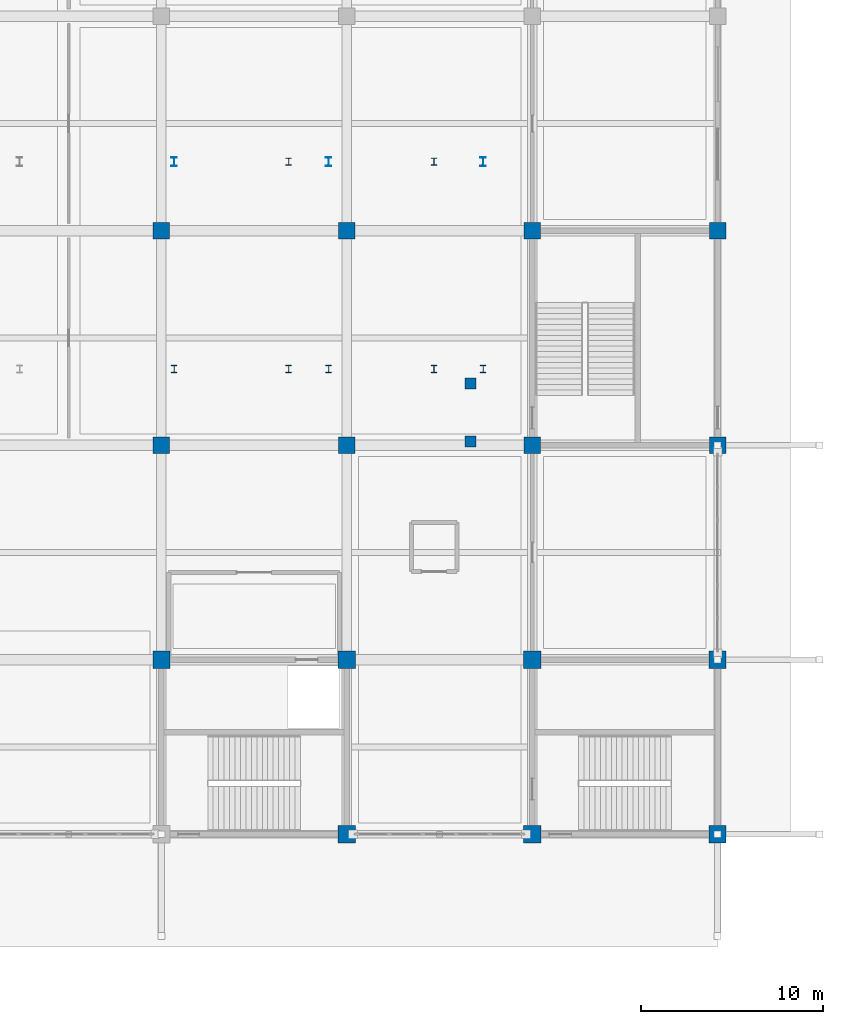
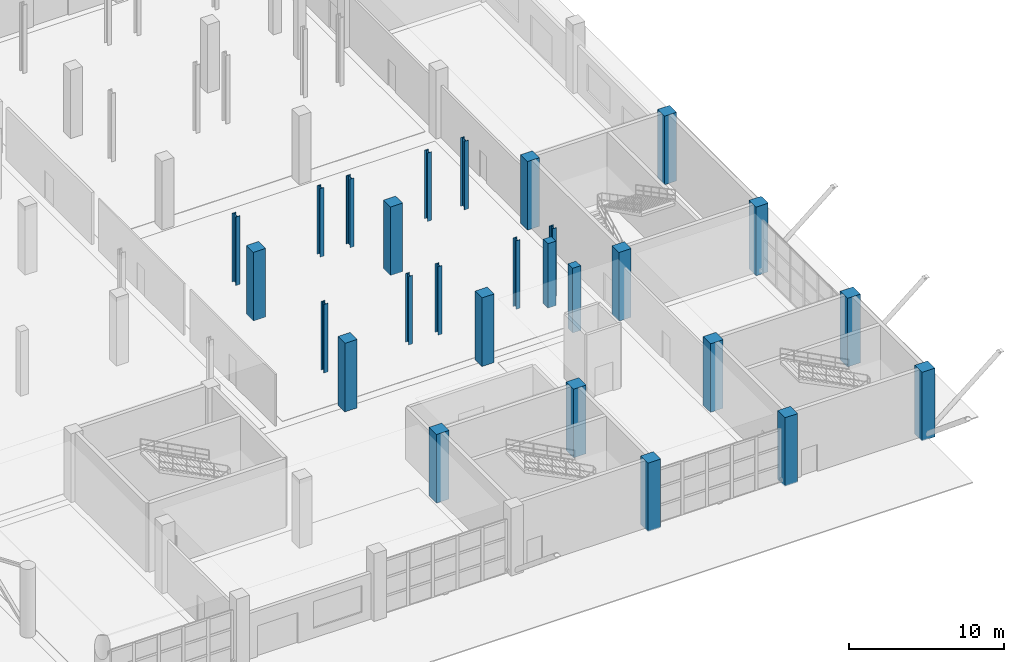
# One storey, part 13 of 124: 27 columns.
"""IFC4 building model written with IfcOpenShell, lengths in metres."""

import ifcopenshell
import ifcopenshell.guid

model = None  # the IFC model being written
_history = None  # IfcOwnerHistory: only IFC2X3 demands one
_inside = {}  # id of a spatial element -> (the spatial element, [elements in it])
_under = {}  # id of a project, library or spatial element -> (it, [spatial elements below it])
_declared = {}  # id of a project -> (the project, [libraries it declares])
_typed = {}  # id of a type object -> (the type object, [elements of that type])
_made_of = {}  # id of a material, layer set ... -> (it, [elements and type objects made of it])


def new_model(schema):
    """Start an empty IFC model of exactly this schema.

    Asked for "IFC4X3", IfcOpenShell would pick the latest addendum, in which some entities
    have other attributes; the version numbers below select the first issue.
    IFC2X3 requires an IfcOwnerHistory on every rooted entity: one is made here for all.
    """
    global model, _history
    if schema == "IFC4X3":
        model = ifcopenshell.file(schema_version=(4, 3, 0, 0))
    else:
        model = ifcopenshell.file(schema=schema)
    _inside.clear()
    _under.clear()
    _declared.clear()
    _typed.clear()
    _made_of.clear()
    _history = None
    if model.schema == "IFC2X3":
        org = make("IfcOrganization", Name="unknown")
        user = make(
            "IfcPersonAndOrganization",
            ThePerson=make("IfcPerson", FamilyName="unknown"),
            TheOrganization=org,
        )
        app = make(
            "IfcApplication",
            ApplicationDeveloper=org,
            Version="unknown",
            ApplicationFullName="unknown",
            ApplicationIdentifier="unknown",
        )
        _history = make(
            "IfcOwnerHistory",
            OwningUser=user,
            OwningApplication=app,
            ChangeAction="ADDED",
            CreationDate=0,
        )
    return model


def make(cls, **values):
    """One entity of the class cls with the attributes given. An attribute that is None is left unset."""
    return model.create_entity(
        cls, **{name: value for name, value in values.items() if value is not None}
    )


def rooted(cls, **values):
    """An entity with a GlobalId (a new one), such as an element, a storey or a relation."""
    return make(cls, GlobalId=ifcopenshell.guid.new(), OwnerHistory=_history, **values)


def si_unit(unit_type, name, prefix=None):
    """IfcSIUnit, for example si_unit("LENGTHUNIT", "METRE", prefix="MILLI")."""
    return make("IfcSIUnit", UnitType=unit_type, Prefix=prefix, Name=name)


def assignment(units):
    """IfcUnitAssignment: the units of a project."""
    return None if units is None else make("IfcUnitAssignment", Units=units)


def point(xyz):
    """IfcCartesianPoint."""
    return None if xyz is None else make("IfcCartesianPoint", Coordinates=xyz)


def direction(xyz):
    """IfcDirection."""
    return None if xyz is None else make("IfcDirection", DirectionRatios=xyz)


def frame(location, z_axis=None, x_axis=None):
    """IfcAxis2Placement3D, a coordinate frame: its origin and axes. An axis left out is left unset."""
    return make(
        "IfcAxis2Placement3D",
        Location=point(location),
        Axis=direction(z_axis),
        RefDirection=direction(x_axis),
    )


def frame_2d(location, x_axis=None):
    """IfcAxis2Placement2D, a coordinate frame in the plane: its origin and x axis."""
    return make(
        "IfcAxis2Placement2D", Location=point(location), RefDirection=direction(x_axis)
    )


def origin():
    """The frame at (0, 0, 0) with its axes left unset."""
    return frame((0.0, 0.0, 0.0))


def origin_2d():
    """The frame at (0, 0) in the plane with its x axis left unset."""
    return frame_2d((0.0, 0.0))


def place(relative_to, where):
    """IfcLocalPlacement: puts the frame where relative to a parent placement (None: the world)."""
    return make(
        "IfcLocalPlacement", PlacementRelTo=relative_to, RelativePlacement=where
    )


def context(
    kind, dimensions, precision=None, world=None, true_north=None, identifier=None
):
    """IfcGeometricRepresentationContext, for example the 3D "Model" context."""
    return make(
        "IfcGeometricRepresentationContext",
        ContextIdentifier=identifier,
        ContextType=kind,
        CoordinateSpaceDimension=dimensions,
        Precision=precision,
        WorldCoordinateSystem=world,
        TrueNorth=true_north,
    )


def subcontext(parent, identifier, kind, view, scale=None):
    """IfcGeometricRepresentationSubContext, for example "Body" below "Model"."""
    return make(
        "IfcGeometricRepresentationSubContext",
        ContextIdentifier=identifier,
        ContextType=kind,
        ParentContext=parent,
        TargetScale=scale,
        TargetView=view,
    )


def project(units=None, contexts=None):
    """IfcProject with its units and contexts."""
    return rooted(
        "IfcProject",
        Name="project",
        RepresentationContexts=contexts,
        UnitsInContext=assignment(units),
    )


def spatial(cls, under=None, at=None, **own):
    """A site, building, storey or space (cls), placed at a placement, below another one or the project."""
    s = rooted(cls, ObjectPlacement=at, **own)
    if under is not None:
        _under.setdefault(under.id(), (under, []))[1].append(s)
    return s


def profile(cls, at=None, kind="AREA", **sizes):
    """A parametric profile (cls). Its sizes go by their IFC names, for example OverallWidth=200.0."""
    return make(cls, ProfileType=kind, Position=at, **sizes)


def rectangle(**sizes):
    """IfcRectangleProfileDef."""
    return profile("IfcRectangleProfileDef", **sizes)


def i_section(**sizes):
    """IfcIShapeProfileDef."""
    return profile("IfcIShapeProfileDef", **sizes)


def extrude(swept, where, along, depth):
    """IfcExtrudedAreaSolid: the profile swept, set in the frame where, extruded along a direction by depth."""
    return make(
        "IfcExtrudedAreaSolid",
        SweptArea=swept,
        Position=where,
        ExtrudedDirection=direction(along),
        Depth=depth,
    )


def shape(context_of_items, identifier, shape_type, items):
    """IfcShapeRepresentation: the items that make up one representation, for example the "Body"."""
    return make(
        "IfcShapeRepresentation",
        ContextOfItems=context_of_items,
        RepresentationIdentifier=identifier,
        RepresentationType=shape_type,
        Items=items,
    )


def material(Name=None, Category=None):
    """IfcMaterial."""
    return make("IfcMaterial", Name=Name, Category=Category)


def material_profile(
    of_material, cross_section, Name=None, Category=None, Priority=None
):
    """IfcMaterialProfile: a cross section and its material."""
    return make(
        "IfcMaterialProfile",
        Name=Name,
        Material=of_material,
        Profile=cross_section,
        Priority=Priority,
        Category=Category,
    )


def profile_set(profiles, Name=None, composite=None):
    """IfcMaterialProfileSet."""
    return make(
        "IfcMaterialProfileSet",
        Name=Name,
        MaterialProfiles=profiles,
        CompositeProfile=composite,
    )


def made_of(thing, what):
    """Note that an element or type object is made of a material, layer set ...; save() writes the relation."""
    if what is not None:
        _made_of.setdefault(what.id(), (what, []))[1].append(thing)
    return thing


def type_object(cls, material=None, **own):
    """A type object (cls), such as IfcWallType, which elements share."""
    return made_of(rooted(cls, **own), material)


def element(
    cls,
    number,
    at=None,
    inside=None,
    cuts=None,
    type_object=None,
    material=None,
    context=None,
    identifier="Body",
    shape_type=None,
    held_by="IfcProductDefinitionShape",
    body=None,
    shapes=None,
    **own,
):
    """One element of the class cls, such as IfcWall. Its Tag is "e" and its number.

    at: its placement. inside: the storey or other place that contains it. cuts: it is an
    opening in that element (IfcRelVoidsElement). A single representation is given by context,
    identifier, shape_type and body (its items); several are given by shapes. held_by: the class
    of the entity that holds the representations. save() writes the other relations.
    """
    e = rooted(cls, Tag="e%d" % number, ObjectPlacement=at, **own)
    if body is not None:
        shapes = [shape(context, identifier, shape_type, body)]
    if shapes is not None:
        e.Representation = make(held_by, Representations=shapes)
    if inside is not None:
        _inside.setdefault(inside.id(), (inside, []))[1].append(e)
    if cuts is not None:
        rooted(
            "IfcRelVoidsElement", RelatingBuildingElement=cuts, RelatedOpeningElement=e
        )
    if type_object is not None:
        _typed.setdefault(type_object.id(), (type_object, []))[1].append(e)
    return made_of(e, material)


def aggregate(whole, parts):
    """IfcRelAggregates: a whole, such as a stair, and the parts it consists of."""
    return rooted("IfcRelAggregates", RelatingObject=whole, RelatedObjects=parts)


def save(model, path):
    """Write the relations noted so far, then the file.

    IfcRelAggregates (storeys below a building ...), IfcRelContainedInSpatialStructure (elements
    in a storey), IfcRelDefinesByType, IfcRelAssociatesMaterial and IfcRelDeclares: one each for
    every whole, place, type object, material and project.
    """
    for whole, parts in _under.values():
        aggregate(whole, parts)
    for where, things in _inside.values():
        rooted(
            "IfcRelContainedInSpatialStructure",
            RelatedElements=things,
            RelatingStructure=where,
        )
    for kind, things in _typed.values():
        rooted("IfcRelDefinesByType", RelatedObjects=things, RelatingType=kind)
    for what, things in _made_of.values():
        rooted("IfcRelAssociatesMaterial", RelatedObjects=things, RelatingMaterial=what)
    for by, libraries in _declared.values():
        rooted("IfcRelDeclares", RelatingContext=by, RelatedDefinitions=libraries)
    model.write(path)


model = new_model("IFC4")

# Units and contexts
model_context = context("Model", 3, precision=1e-05, world=origin(), true_north=direction((0.0, 1.0)))
body_context = subcontext(model_context, "Body", "Model", "MODEL_VIEW")
ifc_project = project(units=[si_unit("LENGTHUNIT", "METRE"), si_unit("AREAUNIT", "SQUARE_METRE"), si_unit("VOLUMEUNIT", "CUBIC_METRE"), si_unit("PLANEANGLEUNIT", "RADIAN"), si_unit("MASSUNIT", "GRAM", prefix="KILO")], contexts=[model_context])

# Site, building, storey
site_placement = place(None, origin())
site = spatial("IfcSite", under=ifc_project, at=site_placement, CompositionType="ELEMENT")
building_placement = place(site_placement, origin())
building = spatial("IfcBuilding", under=site, at=building_placement, Name="Brelvane Convention Centre", CompositionType="ELEMENT")
storey_placement = place(building_placement, origin())
storey = spatial("IfcBuildingStorey", under=building, at=storey_placement, Name="L00", CompositionType="ELEMENT", Elevation=0.0)

# Columns
ifc_material_1 = material(Name="Concrete M50", Category="concrete")
ifc_material_profile_1 = material_profile(ifc_material_1, rectangle(XDim=0.89990234375, YDim=0.89990234375, at=origin_2d()), Name="RC 900x900")
ifc_profile_set_1 = profile_set([ifc_material_profile_1], Name="Concrete M50")
column_type_1 = type_object("IfcColumnType", Name="RC Column C-RC2 (RC 900x900)", PredefinedType="COLUMN", material=ifc_profile_set_1)
for number, where, z_axis, x_axis, name in (
    (1, (193.800048828125, 40.60009765625, 0.0), (0.0, 0.0, 1.0), (1.0, 0.0, 0.0), "Column 20-E (L00)"),
    (2, (193.800048828125, 52.39990234375, 0.0), (0.0, 0.0, 1.0), (1.0, 0.0, 0.0), "Column 20-F (L00)"),
    (3, (204.0, 40.60009765625, 0.0), (0.0, 0.0, 1.0), (1.0, 0.0, 0.0), "Column 21-E (L00)"),
    (4, (204.0, 52.39990234375, 0.0), (0.0, 0.0, 1.0), (1.0, 0.0, 0.0), "Column 21-F (L00)"),
    (5, (214.199951171875, 40.60009765625, 0.0), (0.0, 0.0, 1.0), (1.0, 0.0, 0.0), "Column 22-E (L00)"),
    (6, (214.199951171875, 52.39990234375, 0.0), (0.0, 0.0, 1.0), (1.0, 0.0, 0.0), "Column 22-F (L00)"),
    (7, (224.39990234375, 40.60009765625, 0.0), (0.0, 0.0, 1.0), (1.0, 0.0, 0.0), "Column 23-E (L00)"),
    (8, (224.39990234375, 52.39990234375, 0.0), (0.0, 0.0, 1.0), (1.0, 0.0, 0.0), "Column 23-F (L00)"),
):
    element("IfcColumn", number, at=place(storey_placement, frame(where, z_axis=z_axis, x_axis=x_axis)), inside=storey, type_object=column_type_1, Name=name, PredefinedType="COLUMN", context=body_context, shape_type="SweptSolid", body=[
        extrude(rectangle(XDim=0.89990234375, YDim=0.89990234375, at=origin_2d()), origin(), (0.0, 0.0, 1.0), 5.39990234375),
    ])
ifc_material_2 = material(Name="Concrete M50", Category="concrete")
ifc_material_profile_2 = material_profile(ifc_material_2, rectangle(XDim=0.60009765625, YDim=0.60009765625, at=origin_2d()), Name="RC 600x600")
ifc_profile_set_2 = profile_set([ifc_material_profile_2], Name="Concrete M50")
column_type_2 = type_object("IfcColumnType", Name="RC Column C-RC4 (RC 600x600)", PredefinedType="COLUMN", material=ifc_profile_set_2)
for number, where, z_axis, x_axis, name in (
    (9, (210.800048828125, 40.800048828125, 0.0), (0.0, 0.0, 1.0), (1.0, 0.0, 0.0), "Plenary Gallery L00 Column 1"),
    (10, (210.800048828125, 44.0, 0.0), (0.0, 0.0, 1.0), (1.0, 0.0, 0.0), "Plenary Gallery L00 Column 2"),
):
    element("IfcColumn", number, at=place(storey_placement, frame(where, z_axis=z_axis, x_axis=x_axis)), inside=storey, type_object=column_type_2, Name=name, PredefinedType="COLUMN", context=body_context, shape_type="SweptSolid", body=[
        extrude(rectangle(XDim=0.60009765625, YDim=0.60009765625, at=origin_2d()), origin(), (0.0, 0.0, 1.0), 5.080078125),
    ])
ifc_material_3 = material(Name="Concrete M50", Category="concrete")
ifc_material_profile_3 = material_profile(ifc_material_3, rectangle(XDim=0.949951171875, YDim=0.949951171875, at=origin_2d()), Name="RC 950x950")
ifc_profile_set_3 = profile_set([ifc_material_profile_3], Name="Concrete M50")
column_type_3 = type_object("IfcColumnType", Name="RC Column C-RC8 (RC 950x950)", PredefinedType="COLUMN", material=ifc_profile_set_3)
for number, where, z_axis, x_axis, name in (
    (11, (193.800048828125, 28.800048828125, 0.0), (0.0, 0.0, 1.0), (1.0, 0.0, 0.0), "Column 20-D (L00)"),
    (12, (204.0, 19.199951171875, 0.0), (0.0, 0.0, 1.0), (1.0, 0.0, 0.0), "Column 21-C (L00)"),
    (13, (204.0, 28.800048828125, 0.0), (0.0, 0.0, 1.0), (1.0, 0.0, 0.0), "Column 21-D (L00)"),
    (14, (214.199951171875, 19.199951171875, 0.0), (0.0, 0.0, 1.0), (1.0, 0.0, 0.0), "Column 22-C (L00)"),
    (15, (214.199951171875, 28.800048828125, 0.0), (0.0, 0.0, 1.0), (1.0, 0.0, 0.0), "Column 22-D (L00)"),
    (16, (224.39990234375, 19.199951171875, 0.0), (0.0, 0.0, 1.0), (1.0, 0.0, 0.0), "Column 23-C (L00)"),
    (17, (224.39990234375, 28.800048828125, 0.0), (0.0, 0.0, 1.0), (1.0, 0.0, 0.0), "Column 23-D (L00)"),
):
    element("IfcColumn", number, at=place(storey_placement, frame(where, z_axis=z_axis, x_axis=x_axis)), inside=storey, type_object=column_type_3, Name=name, PredefinedType="COLUMN", context=body_context, shape_type="SweptSolid", body=[
        extrude(rectangle(XDim=0.949951171875, YDim=0.949951171875, at=origin_2d()), origin(), (0.0, 0.0, 1.0), 5.39990234375),
    ])
ifc_material_4 = material(Name="Steel E350 (350 MPa)", Category="steel")
ifc_material_profile_4 = material_profile(ifc_material_4, i_section(OverallWidth=0.300048828125, OverallDepth=0.5, WebThickness=0.014404296875, FlangeThickness=0.028076171875, FilletRadius=0.027099609375, at=origin_2d()), Name="WPB 500x300")
ifc_profile_set_4 = profile_set([ifc_material_profile_4], Name="Steel E350 (350 MPa)")
column_type_4 = type_object("IfcColumnType", Name="Steel Column C-ST6 (WPB 500x300)", PredefinedType="COLUMN", material=ifc_profile_set_4)
for number, where, z_axis, x_axis, name in (
    (18, (194.5, 56.199951171875, 0.0), (0.0, 0.0, 1.0), (1.0, 0.0, 0.0), "Plenary Bowl Tier Column L00 L2-Y56"),
    (19, (203.0, 56.199951171875, 0.0), (0.0, 0.0, 1.0), (1.0, 0.0, 0.0), "Plenary Bowl Tier Column L00 L3-Y56"),
    (20, (211.5, 56.199951171875, 0.0), (0.0, 0.0, 1.0), (1.0, 0.0, 0.0), "Plenary Bowl Tier Column L00 L4-Y56"),
):
    element("IfcColumn", number, at=place(storey_placement, frame(where, z_axis=z_axis, x_axis=x_axis)), inside=storey, type_object=column_type_4, Name=name, PredefinedType="COLUMN", context=body_context, shape_type="SweptSolid", body=[
        extrude(i_section(OverallWidth=0.300048828125, OverallDepth=0.5, WebThickness=0.014404296875, FlangeThickness=0.028076171875, FilletRadius=0.027099609375, at=origin_2d()), origin(), (0.0, 0.0, 1.0), 5.39990234375),
    ])
ifc_material_5 = material(Name="Steel E350 (350 MPa)", Category="steel")
ifc_material_profile_5 = material_profile(ifc_material_5, i_section(OverallWidth=0.300048828125, OverallDepth=0.39990234375, WebThickness=0.013427734375, FlangeThickness=0.02392578125, FilletRadius=0.027099609375, at=origin_2d()), Name="WPB 400x300")
ifc_profile_set_5 = profile_set([ifc_material_profile_5], Name="Steel E350 (350 MPa)")
column_type_5 = type_object("IfcColumnType", Name="Steel Column C-ST7 (WPB 400x300)", PredefinedType="COLUMN", material=ifc_profile_set_5)
for number, where, z_axis, x_axis, name in (
    (21, (194.5, 44.800048828125, 0.0), (0.0, 0.0, 1.0), (1.0, 0.0, 0.0), "Plenary Bowl Edge Column L00 L2-Y44"),
    (22, (203.0, 44.800048828125, 0.0), (0.0, 0.0, 1.0), (1.0, 0.0, 0.0), "Plenary Bowl Edge Column L00 L3-Y44"),
    (23, (211.5, 44.800048828125, 0.0), (0.0, 0.0, 1.0), (1.0, 0.0, 0.0), "Plenary Bowl Edge Column L00 L4-Y44"),
    (24, (200.800048828125, 44.800048828125, 0.0), (0.0, 0.0, 1.0), (1.0, 0.0, 0.0), "Plenary Balcony Tier Column L00 U1-Y44"),
    (25, (200.800048828125, 56.199951171875, 0.0), (0.0, 0.0, 1.0), (1.0, 0.0, 0.0), "Plenary Balcony Tier Column L00 U1-Y56"),
    (26, (208.800048828125, 44.800048828125, 0.0), (0.0, 0.0, 1.0), (1.0, 0.0, 0.0), "Plenary Balcony Tier Column L00 U2-Y44"),
    (27, (208.800048828125, 56.199951171875, 0.0), (0.0, 0.0, 1.0), (1.0, 0.0, 0.0), "Plenary Balcony Tier Column L00 U2-Y56"),
):
    element("IfcColumn", number, at=place(storey_placement, frame(where, z_axis=z_axis, x_axis=x_axis)), inside=storey, type_object=column_type_5, Name=name, PredefinedType="COLUMN", context=body_context, shape_type="SweptSolid", body=[
        extrude(i_section(OverallWidth=0.300048828125, OverallDepth=0.39990234375, WebThickness=0.013427734375, FlangeThickness=0.02392578125, FilletRadius=0.027099609375, at=origin_2d()), origin(), (0.0, 0.0, 1.0), 5.39990234375),
    ])

save(model, "model.ifc")
